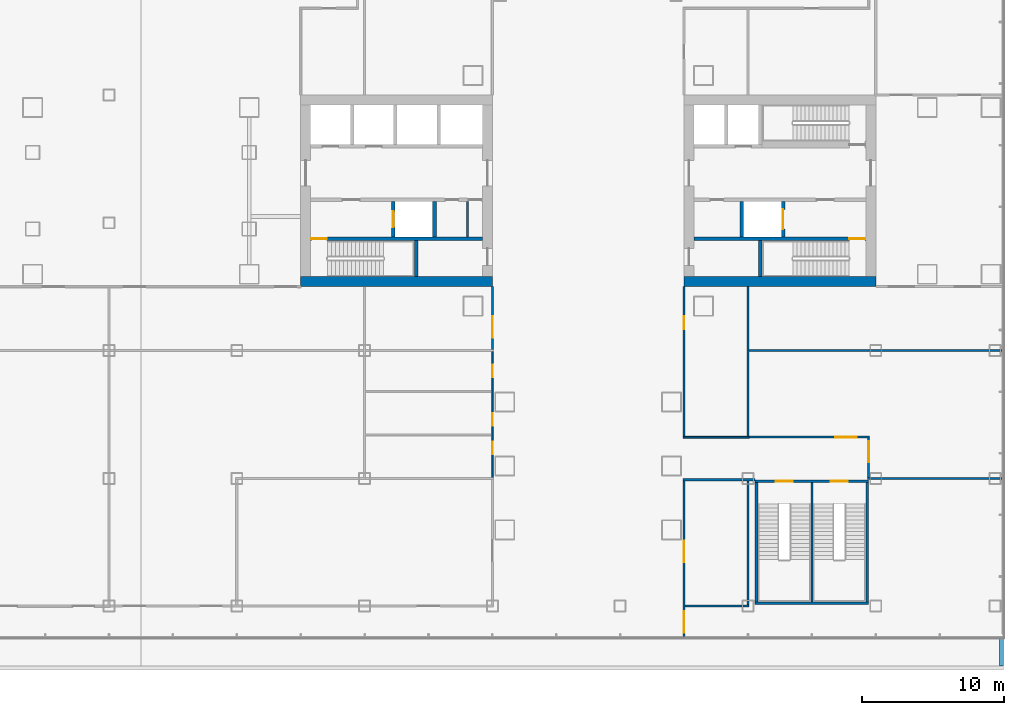
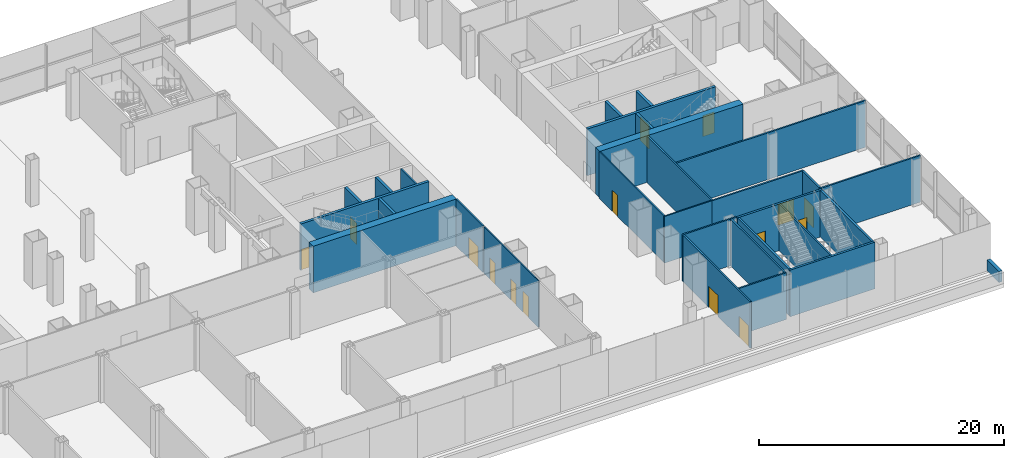
# One storey, part 21 of 30: 30 walls, 15 doors, 15 openings.
"""IFC4 building model written with IfcOpenShell, lengths in metres."""

from ifc_helpers import new_model, si_unit, direction, frame, frame_2d, origin, place, context, subcontext, project, spatial, rectangle, extrude, material, layer, layer_set, type_object, element, fill, save


model = new_model("IFC4")

# Units and contexts
model_context = context("Model", 3, precision=1e-05, world=origin(), true_north=direction((0.0, 1.0)))
body_context = subcontext(model_context, "Body", "Model", "MODEL_VIEW")
ifc_project = project(units=[si_unit("LENGTHUNIT", "METRE"), si_unit("AREAUNIT", "SQUARE_METRE"), si_unit("VOLUMEUNIT", "CUBIC_METRE"), si_unit("PLANEANGLEUNIT", "RADIAN"), si_unit("MASSUNIT", "GRAM", prefix="KILO")], contexts=[model_context])

# Site, building, storey
site_placement = place(None, origin())
site = spatial("IfcSite", under=ifc_project, at=site_placement, CompositionType="ELEMENT")
building_placement = place(site_placement, origin())
building = spatial("IfcBuilding", under=site, at=building_placement, Name="Shamsa Quay Exchange Towers", CompositionType="ELEMENT")
storey_placement = place(building_placement, frame((0.0, 0.0, 23.5)))
storey = spatial("IfcBuildingStorey", under=building, at=storey_placement, Name="L04", CompositionType="ELEMENT", Elevation=23.5)

# Walls
ifc_material_1 = material(Name="Concrete C80/95", Category="concrete")
ifc_layer_1 = layer(ifc_material_1, 0.699951171875)
ifc_layer_set_1 = layer_set([ifc_layer_1], Name="CORE WALL 700 C80/95")
wall_type_1 = type_object("IfcWallType", Name="CORE WALL 700 C80/95", PredefinedType="SHEAR", material=ifc_layer_set_1)
wall_1_placement = place(storey_placement, frame((13.5, -6.39990234375, 0.0)))
element("IfcWall", 1, at=wall_1_placement, inside=storey, type_object=wall_type_1, Name="Core wall T2A-L04-PS", PredefinedType="SHEAR", context=body_context, shape_type="SweptSolid", body=[
    extrude(rectangle(XDim=13.5, YDim=0.699951171875, at=frame_2d((6.75, 0.0))), origin(), (0.0, 0.0, 1.0), 4.64990234375),
])
wall_2_placement = place(storey_placement, frame((54.0, -6.39990234375, 0.0), z_axis=(0.0, 0.0, 1.0), x_axis=(-1.0, 0.0, 0.0)))
element("IfcWall", 2, at=wall_2_placement, inside=storey, type_object=wall_type_1, Name="Core wall T2B-L04-PS", PredefinedType="SHEAR", context=body_context, shape_type="SweptSolid", body=[
    extrude(rectangle(XDim=13.5, YDim=0.699951171875, at=frame_2d((6.75, 0.0))), origin(), (0.0, 0.0, 1.0), 4.64990234375),
])
ifc_material_2 = material(Name="Gypsum board on steel studs, EI 60", Category="steel")
ifc_layer_2 = layer(ifc_material_2, 0.14990234375)
ifc_layer_set_2 = layer_set([ifc_layer_2], Name="FIRE PARTITION 150")
wall_type_2 = type_object("IfcWallType", Name="FIRE PARTITION 150", PredefinedType="PARTITIONING", material=ifc_layer_set_2)
wall_3_placement = place(storey_placement, frame((25.25, -3.25, 0.0), z_axis=(0.0, 0.0, 1.0), x_axis=(0.0, 1.0, 0.0)))
element("IfcWall", 3, at=wall_3_placement, inside=storey, type_object=wall_type_2, Name="Partition T2A-L04-EC0", PredefinedType="PARTITIONING", context=body_context, shape_type="SweptSolid", body=[
    extrude(rectangle(XDim=2.5, YDim=0.14990234375, at=frame_2d((1.25, 0.0))), origin(), (0.0, 0.0, 1.0), 4.64990234375),
])

# Wall, opening, door
ifc_material_3 = material(Name="Laminated fire-resisting glass in a metal frame", Category="glass")
ifc_layer_3 = layer(ifc_material_3, 0.125)
ifc_layer_set_3 = layer_set([ifc_layer_3], Name="Glazed partition 125 mm EI 60")
wall_type_3 = type_object("IfcWallType", Name="Glazed partition 125 mm EI 60", PredefinedType="PARTITIONING", material=ifc_layer_set_3)
wall_4_placement = place(storey_placement, frame((40.5, -6.75, 0.0), z_axis=(0.0, 0.0, 1.0), x_axis=(0.0, -1.0, 0.0)))
wall_4 = element("IfcWall", 4, at=wall_4_placement, inside=storey, type_object=wall_type_3, Name="Partition PD-L04-W14", PredefinedType="PARTITIONING", context=body_context, shape_type="SweptSolid", body=[
    extrude(rectangle(XDim=10.537109375, YDim=0.125, at=frame_2d((5.2685546875, 0.0))), origin(), (0.0, 0.0, 1.0), 4.64990234375),
])
opening_1_placement = place(wall_4_placement, frame((2.10009765625, 0.0, 0.0)))
opening_1 = element("IfcOpeningElement", 5, at=opening_1_placement, cuts=wall_4, Name="Opening PD-L04-D41", PredefinedType="OPENING", context=body_context, shape_type="SweptSolid", body=[
    extrude(rectangle(XDim=0.89990234375, YDim=2.10009765625, at=frame_2d((0.449951171875, 1.050048828125))), frame((0.0, 0.072509765625, 0.0), z_axis=(0.0, -1.0, 0.0), x_axis=(1.0, 0.0, 0.0)), (0.0, 0.0, 1.0), 0.14501953125),
])
ifc_material_4 = material(Name="Timber door leaf in a metal frame", Category="wood")
door_type_1 = type_object("IfcDoorType", Name="Door 900x2100 FD30S", OperationType="NOTDEFINED", PredefinedType="DOOR", material=ifc_material_4)
door_1_placement = place(opening_1_placement, origin())
door_1 = element("IfcDoor", 6, at=door_1_placement, inside=storey, type_object=door_type_1, Name="Door PD-L04-D41", OperationType="SINGLE_SWING_RIGHT", OverallHeight=2.10009765625, OverallWidth=0.89990234375, PredefinedType="DOOR", context=body_context, shape_type="SweptSolid", body=[
    extrude(rectangle(XDim=0.89990234375, YDim=2.10009765625, at=frame_2d((0.449951171875, 1.050048828125))), frame((0.0, 0.02490234375, 0.0), z_axis=(0.0, -1.0, 0.0), x_axis=(1.0, 0.0, 0.0)), (0.0, 0.0, 1.0), 0.050048828125),
])
fill(opening_1, door_1)

# Wall
wall_5_placement = place(storey_placement, frame((40.4375, -17.349609375, 0.0)))
element("IfcWall", 7, at=wall_5_placement, inside=storey, type_object=wall_type_3, Name="Partition PD-L04-W49", PredefinedType="PARTITIONING", context=body_context, shape_type="SweptSolid", body=[
    extrude(rectangle(XDim=4.637451171875, YDim=0.125, at=frame_2d((2.31884765625, 0.0))), origin(), (0.0, 0.0, 1.0), 4.64990234375),
])

# Wall, openings, doors
ifc_material_5 = material(Name="Gypsum board partition on metal studs")
ifc_layer_4 = layer(ifc_material_5, 0.10009765625)
ifc_layer_set_4 = layer_set([ifc_layer_4], Name="Partition 100 mm NOT RATED")
wall_type_4 = type_object("IfcWallType", Name="Partition 100 mm NOT RATED", PredefinedType="PARTITIONING", material=ifc_layer_set_4)
wall_6_placement = place(storey_placement, frame((27.0, -20.175048828125, 0.0), z_axis=(0.0, 0.0, 1.0), x_axis=(0.0, 1.0, 0.0)))
wall_6 = element("IfcWall", 8, at=wall_6_placement, inside=storey, type_object=wall_type_4, Name="Partition PD-L04-W12", PredefinedType="PARTITIONING", context=body_context, shape_type="SweptSolid", body=[
    extrude(rectangle(XDim=8.85009765625, YDim=0.10009765625, at=frame_2d((4.425048828125, 0.0))), origin(), (0.0, 0.0, 1.0), 4.64990234375),
])
opening_2_placement = place(wall_6_placement, frame((1.606201171875, 0.0, 0.0)))
opening_2 = element("IfcOpeningElement", 9, at=opening_2_placement, cuts=wall_6, Name="Opening PD-L04-D32", PredefinedType="OPENING", context=body_context, shape_type="SweptSolid", body=[
    extrude(rectangle(XDim=0.89990234375, YDim=2.10009765625, at=frame_2d((0.449951171875, 1.050048828125))), frame((0.0, 0.06005859375, 0.0), z_axis=(0.0, -1.0, 0.0), x_axis=(1.0, 0.0, 0.0)), (0.0, 0.0, 1.0), 0.1201171875),
])
opening_3_placement = place(wall_6_placement, frame((3.61865234375, 0.0, 0.0)))
opening_3 = element("IfcOpeningElement", 10, at=opening_3_placement, cuts=wall_6, Name="Opening PD-L04-D33", PredefinedType="OPENING", context=body_context, shape_type="SweptSolid", body=[
    extrude(rectangle(XDim=0.89990234375, YDim=2.10009765625, at=frame_2d((0.449951171875, 1.050048828125))), frame((0.0, 0.06005859375, 0.0), z_axis=(0.0, -1.0, 0.0), x_axis=(1.0, 0.0, 0.0)), (0.0, 0.0, 1.0), 0.1201171875),
])
opening_4_placement = place(wall_6_placement, frame((7.03759765625, 0.0, 0.0)))
opening_4 = element("IfcOpeningElement", 11, at=opening_4_placement, cuts=wall_6, Name="Opening PD-L04-D35", PredefinedType="OPENING", context=body_context, shape_type="SweptSolid", body=[
    extrude(rectangle(XDim=0.89990234375, YDim=2.10009765625, at=frame_2d((0.449951171875, 1.050048828125))), frame((0.0, 0.06005859375, 0.0), z_axis=(0.0, -1.0, 0.0), x_axis=(1.0, 0.0, 0.0)), (0.0, 0.0, 1.0), 0.1201171875),
])
door_type_2 = type_object("IfcDoorType", Name="Door 900x2100 NOT RATED", OperationType="NOTDEFINED", PredefinedType="DOOR", material=ifc_material_4)
door_2_placement = place(opening_2_placement, origin())
door_2 = element("IfcDoor", 12, at=door_2_placement, inside=storey, type_object=door_type_2, Name="Door PD-L04-D32", OperationType="SINGLE_SWING_RIGHT", OverallHeight=2.10009765625, OverallWidth=0.89990234375, PredefinedType="DOOR", context=body_context, shape_type="SweptSolid", body=[
    extrude(rectangle(XDim=0.89990234375, YDim=2.10009765625, at=frame_2d((0.449951171875, 1.050048828125))), frame((0.0, 0.02490234375, 0.0), z_axis=(0.0, -1.0, 0.0), x_axis=(1.0, 0.0, 0.0)), (0.0, 0.0, 1.0), 0.050048828125),
])
fill(opening_2, door_2)
door_3_placement = place(opening_3_placement, origin())
door_3 = element("IfcDoor", 13, at=door_3_placement, inside=storey, type_object=door_type_2, Name="Door PD-L04-D33", OperationType="SINGLE_SWING_LEFT", OverallHeight=2.10009765625, OverallWidth=0.89990234375, PredefinedType="DOOR", context=body_context, shape_type="SweptSolid", body=[
    extrude(rectangle(XDim=0.89990234375, YDim=2.10009765625, at=frame_2d((0.449951171875, 1.050048828125))), frame((0.0, 0.02490234375, 0.0), z_axis=(0.0, -1.0, 0.0), x_axis=(1.0, 0.0, 0.0)), (0.0, 0.0, 1.0), 0.050048828125),
])
fill(opening_3, door_3)
door_4_placement = place(opening_4_placement, origin())
door_4 = element("IfcDoor", 14, at=door_4_placement, inside=storey, type_object=door_type_2, Name="Door PD-L04-D35", OperationType="SINGLE_SWING_LEFT", OverallHeight=2.10009765625, OverallWidth=0.89990234375, PredefinedType="DOOR", context=body_context, shape_type="SweptSolid", body=[
    extrude(rectangle(XDim=0.89990234375, YDim=2.10009765625, at=frame_2d((0.449951171875, 1.050048828125))), frame((0.0, 0.02490234375, 0.0), z_axis=(0.0, -1.0, 0.0), x_axis=(1.0, 0.0, 0.0)), (0.0, 0.0, 1.0), 0.050048828125),
])
fill(opening_4, door_4)

ifc_layer_5 = layer(ifc_material_5, 0.14990234375)
ifc_layer_set_5 = layer_set([ifc_layer_5], Name="Partition 150 mm EI 60")
wall_type_5 = type_object("IfcWallType", Name="Partition 150 mm EI 60", PredefinedType="PARTITIONING", material=ifc_layer_set_5)
wall_7_placement = place(storey_placement, frame((40.5, -20.424560546875, 0.0), z_axis=(0.0, 0.0, 1.0), x_axis=(0.0, -1.0, 0.0)))
wall_7 = element("IfcWall", 15, at=wall_7_placement, inside=storey, type_object=wall_type_5, Name="Partition PD-L04-W11", PredefinedType="PARTITIONING", context=body_context, shape_type="SweptSolid", body=[
    extrude(rectangle(XDim=10.98046875, YDim=0.14990234375, at=frame_2d((5.490234375, 0.0))), origin(), (0.0, 0.0, 1.0), 4.64990234375),
])
opening_5_placement = place(wall_7_placement, frame((4.22509765625, 0.0, 0.0)))
opening_5 = element("IfcOpeningElement", 16, at=opening_5_placement, cuts=wall_7, Name="Opening PD-L04-D39", PredefinedType="OPENING", context=body_context, shape_type="SweptSolid", body=[
    extrude(rectangle(XDim=1.5, YDim=2.10009765625, at=frame_2d((0.75, 1.050048828125))), frame((0.0, 0.0849609375, 0.0), z_axis=(0.0, -1.0, 0.0), x_axis=(1.0, 0.0, 0.0)), (0.0, 0.0, 1.0), 0.169921875),
])
opening_6_placement = place(wall_7_placement, frame((9.200439453125, 0.0, 0.0)))
opening_6 = element("IfcOpeningElement", 17, at=opening_6_placement, cuts=wall_7, Name="Opening PD-L04-D40", PredefinedType="OPENING", context=body_context, shape_type="SweptSolid", body=[
    extrude(rectangle(XDim=1.5, YDim=2.10009765625, at=frame_2d((0.75, 1.050048828125))), frame((0.0, 0.0849609375, 0.0), z_axis=(0.0, -1.0, 0.0), x_axis=(1.0, 0.0, 0.0)), (0.0, 0.0, 1.0), 0.169921875),
])
door_type_3 = type_object("IfcDoorType", Name="Door 1500x2100 FD30S pair", OperationType="NOTDEFINED", PredefinedType="DOOR", material=ifc_material_4)
door_5_placement = place(opening_5_placement, origin())
door_5 = element("IfcDoor", 18, at=door_5_placement, inside=storey, type_object=door_type_3, Name="Door PD-L04-D39", OperationType="DOUBLE_DOOR_SINGLE_SWING", OverallHeight=2.10009765625, OverallWidth=1.5, PredefinedType="DOOR", context=body_context, shape_type="SweptSolid", body=[
    extrude(rectangle(XDim=1.5, YDim=2.10009765625, at=frame_2d((0.75, 1.050048828125))), frame((0.0, 0.02490234375, 0.0), z_axis=(0.0, -1.0, 0.0), x_axis=(1.0, 0.0, 0.0)), (0.0, 0.0, 1.0), 0.050048828125),
])
fill(opening_5, door_5)
door_6_placement = place(opening_6_placement, origin())
door_6 = element("IfcDoor", 19, at=door_6_placement, inside=storey, type_object=door_type_3, Name="Door PD-L04-D40", OperationType="DOUBLE_DOOR_SINGLE_SWING", OverallHeight=2.10009765625, OverallWidth=1.5, PredefinedType="DOOR", context=body_context, shape_type="SweptSolid", body=[
    extrude(rectangle(XDim=1.5, YDim=2.10009765625, at=frame_2d((0.75, 1.050048828125))), frame((0.0, 0.02490234375, 0.0), z_axis=(0.0, -1.0, 0.0), x_axis=(1.0, 0.0, 0.0)), (0.0, 0.0, 1.0), 0.050048828125),
])
fill(opening_6, door_6)

# Wall, opening, door
wall_8_placement = place(storey_placement, frame((27.0, -11.175048828125, 0.0), z_axis=(0.0, 0.0, 1.0), x_axis=(0.0, 1.0, 0.0)))
wall_8 = element("IfcWall", 20, at=wall_8_placement, inside=storey, type_object=wall_type_5, Name="Partition PD-L04-W15", PredefinedType="PARTITIONING", context=body_context, shape_type="SweptSolid", body=[
    extrude(rectangle(XDim=4.425048828125, YDim=0.14990234375, at=frame_2d((2.21240234375, 0.0))), origin(), (0.0, 0.0, 1.0), 4.64990234375),
])
opening_7_placement = place(wall_8_placement, frame((0.824951171875, 0.0, 0.0)))
opening_7 = element("IfcOpeningElement", 21, at=opening_7_placement, cuts=wall_8, Name="Opening PD-L04-D36", PredefinedType="OPENING", context=body_context, shape_type="SweptSolid", body=[
    extrude(rectangle(XDim=1.5, YDim=2.10009765625, at=frame_2d((0.75, 1.050048828125))), frame((0.0, 0.0849609375, 0.0), z_axis=(0.0, -1.0, 0.0), x_axis=(1.0, 0.0, 0.0)), (0.0, 0.0, 1.0), 0.169921875),
])
door_7_placement = place(opening_7_placement, origin())
door_7 = element("IfcDoor", 22, at=door_7_placement, inside=storey, type_object=door_type_3, Name="Door PD-L04-D36", OperationType="DOUBLE_DOOR_SINGLE_SWING", OverallHeight=2.10009765625, OverallWidth=1.5, PredefinedType="DOOR", context=body_context, shape_type="SweptSolid", body=[
    extrude(rectangle(XDim=1.5, YDim=2.10009765625, at=frame_2d((0.75, 1.050048828125))), frame((0.0, 0.02490234375, 0.0), z_axis=(0.0, -1.0, 0.0), x_axis=(1.0, 0.0, 0.0)), (0.0, 0.0, 1.0), 0.050048828125),
])
fill(opening_7, door_7)

# Wall
wall_9_placement = place(storey_placement, frame((45.074951171875, -29.25, 0.0), z_axis=(0.0, 0.0, 1.0), x_axis=(-1.0, 0.0, 0.0)))
element("IfcWall", 23, at=wall_9_placement, inside=storey, type_object=wall_type_5, Name="Partition PD-L04-W21", PredefinedType="PARTITIONING", context=body_context, shape_type="SweptSolid", body=[
    extrude(rectangle(XDim=4.5, YDim=0.14990234375, at=frame_2d((2.25, 0.0))), origin(), (0.0, 0.0, 1.0), 4.64990234375),
])

# Wall, opening, door
wall_10_placement = place(storey_placement, frame((53.574951171875, -17.349609375, 0.0), z_axis=(0.0, 0.0, 1.0), x_axis=(-1.0, 0.0, 0.0)))
wall_10 = element("IfcWall", 24, at=wall_10_placement, inside=storey, type_object=wall_type_5, Name="Partition PD-L04-W43", PredefinedType="PARTITIONING", context=body_context, shape_type="SweptSolid", body=[
    extrude(rectangle(XDim=8.64990234375, YDim=0.14990234375, at=frame_2d((4.324951171875, 0.0))), origin(), (0.0, 0.0, 1.0), 4.64990234375),
])
opening_8_placement = place(wall_10_placement, frame((0.925048828125, 0.0, 0.0)))
opening_8 = element("IfcOpeningElement", 25, at=opening_8_placement, cuts=wall_10, Name="Opening PD-L04-D46", PredefinedType="OPENING", context=body_context, shape_type="SweptSolid", body=[
    extrude(rectangle(XDim=1.5, YDim=2.10009765625, at=frame_2d((0.75, 1.050048828125))), frame((0.0, 0.0849609375, 0.0), z_axis=(0.0, -1.0, 0.0), x_axis=(1.0, 0.0, 0.0)), (0.0, 0.0, 1.0), 0.169921875),
])
door_8_placement = place(opening_8_placement, origin())
door_8 = element("IfcDoor", 26, at=door_8_placement, inside=storey, type_object=door_type_3, Name="Door PD-L04-D46", OperationType="DOUBLE_DOOR_SINGLE_SWING", OverallHeight=2.10009765625, OverallWidth=1.5, PredefinedType="DOOR", context=body_context, shape_type="SweptSolid", body=[
    extrude(rectangle(XDim=1.5, YDim=2.10009765625, at=frame_2d((0.75, 1.050048828125))), frame((0.0, 0.02490234375, 0.0), z_axis=(0.0, -1.0, 0.0), x_axis=(1.0, 0.0, 0.0)), (0.0, 0.0, 1.0), 0.050048828125),
])
fill(opening_8, door_8)

# Wall
wall_11_placement = place(storey_placement, frame((45.5, -20.349609375, 0.0), z_axis=(0.0, 0.0, 1.0), x_axis=(-1.0, 0.0, 0.0)))
element("IfcWall", 27, at=wall_11_placement, inside=storey, type_object=wall_type_5, Name="Partition PD-L04-W47", PredefinedType="PARTITIONING", context=body_context, shape_type="SweptSolid", body=[
    extrude(rectangle(XDim=5.074951171875, YDim=0.14990234375, at=frame_2d((2.53759765625, 0.0))), origin(), (0.0, 0.0, 1.0), 4.64990234375),
])

# Wall, opening, door
wall_12_placement = place(storey_placement, frame((53.5, -20.175048828125, 0.0), z_axis=(0.0, 0.0, 1.0), x_axis=(0.0, 1.0, 0.0)))
wall_12 = element("IfcWall", 28, at=wall_12_placement, inside=storey, type_object=wall_type_5, Name="Partition PD-L04-W48", PredefinedType="PARTITIONING", context=body_context, shape_type="SweptSolid", body=[
    extrude(rectangle(XDim=2.75048828125, YDim=0.14990234375, at=frame_2d((1.375244140625, 0.0))), origin(), (0.0, 0.0, 1.0), 4.64990234375),
])
opening_9_placement = place(wall_12_placement, frame((1.04541015625, 0.0, 0.0)))
opening_9 = element("IfcOpeningElement", 29, at=opening_9_placement, cuts=wall_12, Name="Opening PD-L04-D45", PredefinedType="OPENING", context=body_context, shape_type="SweptSolid", body=[
    extrude(rectangle(XDim=1.5, YDim=2.10009765625, at=frame_2d((0.75, 1.050048828125))), frame((0.0, 0.0849609375, 0.0), z_axis=(0.0, -1.0, 0.0), x_axis=(1.0, 0.0, 0.0)), (0.0, 0.0, 1.0), 0.169921875),
])
door_9_placement = place(opening_9_placement, origin())
door_9 = element("IfcDoor", 30, at=door_9_placement, inside=storey, type_object=door_type_3, Name="Door PD-L04-D45", OperationType="DOUBLE_DOOR_SINGLE_SWING", OverallHeight=2.10009765625, OverallWidth=1.5, PredefinedType="DOOR", context=body_context, shape_type="SweptSolid", body=[
    extrude(rectangle(XDim=1.5, YDim=2.10009765625, at=frame_2d((0.75, 1.050048828125))), frame((0.0, 0.02490234375, 0.0), z_axis=(0.0, -1.0, 0.0), x_axis=(1.0, 0.0, 0.0)), (0.0, 0.0, 1.0), 0.050048828125),
])
fill(opening_9, door_9)

# Walls
wall_13_placement = place(storey_placement, frame((62.905029296875, -11.25, 0.0), z_axis=(0.0, 0.0, 1.0), x_axis=(-1.0, 0.0, 0.0)))
element("IfcWall", 31, at=wall_13_placement, inside=storey, type_object=wall_type_5, Name="Partition PD-L04-W61", PredefinedType="PARTITIONING", context=body_context, shape_type="SweptSolid", body=[
    extrude(rectangle(XDim=17.830078125, YDim=0.14990234375, at=frame_2d((8.9150390625, 0.0))), origin(), (0.0, 0.0, 1.0), 4.64990234375),
])
wall_14_placement = place(storey_placement, frame((62.905029296875, -20.25, 0.0), z_axis=(0.0, 0.0, 1.0), x_axis=(-1.0, 0.0, 0.0)))
element("IfcWall", 32, at=wall_14_placement, inside=storey, type_object=wall_type_5, Name="Partition PD-L04-W65", PredefinedType="PARTITIONING", context=body_context, shape_type="SweptSolid", body=[
    extrude(rectangle(XDim=9.47998046875, YDim=0.14990234375, at=frame_2d((4.739990234375, 0.0))), origin(), (0.0, 0.0, 1.0), 4.64990234375),
])
wall_15_placement = place(storey_placement, frame((45.0, -6.75, 0.0), z_axis=(0.0, 0.0, 1.0), x_axis=(0.0, -1.0, 0.0)))
element("IfcWall", 33, at=wall_15_placement, inside=storey, type_object=wall_type_5, Name="Partition PD-L04-W81", PredefinedType="PARTITIONING", context=body_context, shape_type="SweptSolid", body=[
    extrude(rectangle(XDim=10.524658203125, YDim=0.14990234375, at=frame_2d((5.26220703125, 0.0))), origin(), (0.0, 0.0, 1.0), 4.64990234375),
])
wall_16_placement = place(storey_placement, frame((45.0, -20.424560546875, 0.0), z_axis=(0.0, 0.0, 1.0), x_axis=(0.0, -1.0, 0.0)))
element("IfcWall", 34, at=wall_16_placement, inside=storey, type_object=wall_type_5, Name="Partition PD-L04-W82", PredefinedType="PARTITIONING", context=body_context, shape_type="SweptSolid", body=[
    extrude(rectangle(XDim=8.75048828125, YDim=0.14990234375, at=frame_2d((4.375244140625, 0.0))), origin(), (0.0, 0.0, 1.0), 4.64990234375),
])
ifc_material_6 = material(Name="Reinforced concrete C30/37", Category="concrete")
ifc_layer_6 = layer(ifc_material_6, 0.300048828125)
ifc_layer_set_6 = layer_set([ifc_layer_6], Name="ROOF PARAPET 300 C30/37")
wall_type_6 = type_object("IfcWallType", Name="ROOF PARAPET 300 C30/37", PredefinedType="PARAPET", material=ifc_layer_set_6)
wall_17_placement = place(storey_placement, frame((62.85009765625, -33.449951171875, 0.0), z_axis=(0.0, 0.0, 1.0), x_axis=(0.0, 1.0, 0.0)))
element("IfcWall", 35, at=wall_17_placement, inside=storey, type_object=wall_type_6, Name="Parapet L03 4", PredefinedType="PARAPET", context=body_context, shape_type="SweptSolid", body=[
    extrude(rectangle(XDim=1.949951171875, YDim=0.300048828125, at=frame_2d((0.97509765625, 0.0))), origin(), (0.0, 0.0, 1.0), 1.10009765625),
])

# Wall, opening, door
ifc_material_7 = material(Name="Concrete C50/60", Category="concrete")
ifc_layer_7 = layer(ifc_material_7, 0.25)
ifc_layer_set_7 = layer_set([ifc_layer_7], Name="SHAFT WALL 250 C50/60")
wall_type_7 = type_object("IfcWallType", Name="SHAFT WALL 250 C50/60", PredefinedType="SHEAR", material=ifc_layer_set_7)
wall_18_placement = place(storey_placement, frame((26.300048828125, -3.375, 0.0), z_axis=(0.0, 0.0, 1.0), x_axis=(-1.0, 0.0, 0.0)))
wall_18 = element("IfcWall", 36, at=wall_18_placement, inside=storey, type_object=wall_type_7, Name="Shaft wall T2A-L04-STL", PredefinedType="SHEAR", context=body_context, shape_type="SweptSolid", body=[
    extrude(rectangle(XDim=12.10009765625, YDim=0.25, at=frame_2d((6.050048828125, 0.0))), origin(), (0.0, 0.0, 1.0), 4.64990234375),
])
opening_10_placement = place(wall_18_placement, frame((10.949951171875, 0.0, 0.0)))
opening_10 = element("IfcOpeningElement", 37, at=opening_10_placement, cuts=wall_18, Name="Opening T2A-L04-SD04", PredefinedType="OPENING", context=body_context, shape_type="SweptSolid", body=[
    extrude(rectangle(XDim=1.10009765625, YDim=2.10009765625, at=frame_2d((0.550048828125, 1.050048828125))), frame((0.0, 0.135009765625, 0.0), z_axis=(0.0, -1.0, 0.0), x_axis=(1.0, 0.0, 0.0)), (0.0, 0.0, 1.0), 0.27001953125),
])
ifc_material_8 = material(Name="Steel, fire rated", Category="steel")
door_type_4 = type_object("IfcDoorType", Name="STAIR DOOR 1100", OperationType="SINGLE_SWING_LEFT", PredefinedType="DOOR", material=ifc_material_8)
door_10_placement = place(opening_10_placement, origin())
door_10 = element("IfcDoor", 38, at=door_10_placement, inside=storey, type_object=door_type_4, Name="T2A-L04-SD04", OperationType="SINGLE_SWING_RIGHT", OverallHeight=2.10009765625, OverallWidth=1.10009765625, PredefinedType="DOOR", context=body_context, shape_type="SweptSolid", body=[
    extrude(rectangle(XDim=1.10009765625, YDim=2.10009765625, at=frame_2d((0.550048828125, 1.050048828125))), frame((0.0, 0.02490234375, 0.0), z_axis=(0.0, -1.0, 0.0), x_axis=(1.0, 0.0, 0.0)), (0.0, 0.0, 1.0), 0.050048828125),
])
fill(opening_10, door_10)

# Wall
wall_19_placement = place(storey_placement, frame((21.625, -6.050048828125, 0.0), z_axis=(0.0, 0.0, 1.0), x_axis=(0.0, 1.0, 0.0)))
element("IfcWall", 39, at=wall_19_placement, inside=storey, type_object=wall_type_7, Name="Shaft wall T2A-L04-STF", PredefinedType="SHEAR", context=body_context, shape_type="SweptSolid", body=[
    extrude(rectangle(XDim=2.550048828125, YDim=0.25, at=frame_2d((1.27490234375, 0.0))), origin(), (0.0, 0.0, 1.0), 4.64990234375),
])

# Wall, opening, door
wall_20_placement = place(storey_placement, frame((20.02490234375, -3.25, 0.0), z_axis=(0.0, 0.0, 1.0), x_axis=(0.0, 1.0, 0.0)))
wall_20 = element("IfcWall", 40, at=wall_20_placement, inside=storey, type_object=wall_type_7, Name="Shaft wall T2A-L04-FFF", PredefinedType="SHEAR", context=body_context, shape_type="SweptSolid", body=[
    extrude(rectangle(XDim=2.5, YDim=0.25, at=frame_2d((1.25, 0.0))), origin(), (0.0, 0.0, 1.0), 4.64990234375),
])
opening_11_placement = place(wall_20_placement, frame((0.699951171875, 0.0, 0.0)))
opening_11 = element("IfcOpeningElement", 41, at=opening_11_placement, cuts=wall_20, Name="Opening T2A-L04-LDF08", PredefinedType="OPENING", context=body_context, shape_type="SweptSolid", body=[
    extrude(rectangle(XDim=1.10009765625, YDim=2.10009765625, at=frame_2d((0.550048828125, 1.050048828125))), frame((0.0, 0.135009765625, 0.0), z_axis=(0.0, -1.0, 0.0), x_axis=(1.0, 0.0, 0.0)), (0.0, 0.0, 1.0), 0.27001953125),
])
door_type_5 = type_object("IfcDoorType", Name="FIRE SERVICE LANDING DOOR 1100", OperationType="SLIDING_TO_LEFT", PredefinedType="DOOR", material=ifc_material_8)
door_11_placement = place(opening_11_placement, origin())
door_11 = element("IfcDoor", 42, at=door_11_placement, inside=storey, type_object=door_type_5, Name="T2A-L04-LDF08", OperationType="SLIDING_TO_LEFT", OverallHeight=2.10009765625, OverallWidth=1.10009765625, PredefinedType="DOOR", context=body_context, shape_type="SweptSolid", body=[
    extrude(rectangle(XDim=1.10009765625, YDim=2.10009765625, at=frame_2d((0.550048828125, 1.050048828125))), frame((0.0, 0.02490234375, 0.0), z_axis=(0.0, -1.0, 0.0), x_axis=(1.0, 0.0, 0.0)), (0.0, 0.0, 1.0), 0.050048828125),
])
fill(opening_11, door_11)

# Wall
wall_21_placement = place(storey_placement, frame((22.925048828125, -3.25, 0.0), z_axis=(0.0, 0.0, 1.0), x_axis=(0.0, 1.0, 0.0)))
element("IfcWall", 43, at=wall_21_placement, inside=storey, type_object=wall_type_7, Name="Shaft wall T2A-L04-FFB", PredefinedType="SHEAR", context=body_context, shape_type="SweptSolid", body=[
    extrude(rectangle(XDim=2.5, YDim=0.25, at=frame_2d((1.25, 0.0))), origin(), (0.0, 0.0, 1.0), 4.64990234375),
])

# Wall, opening, door
wall_22_placement = place(storey_placement, frame((53.300048828125, -3.375, 0.0), z_axis=(0.0, 0.0, 1.0), x_axis=(-1.0, 0.0, 0.0)))
wall_22 = element("IfcWall", 44, at=wall_22_placement, inside=storey, type_object=wall_type_7, Name="Shaft wall T2B-L04-STL", PredefinedType="SHEAR", context=body_context, shape_type="SweptSolid", body=[
    extrude(rectangle(XDim=12.10009765625, YDim=0.25, at=frame_2d((6.050048828125, 0.0))), origin(), (0.0, 0.0, 1.0), 4.64990234375),
])
opening_12_placement = place(wall_22_placement, frame((0.050048828125, 0.0, 0.0)))
opening_12 = element("IfcOpeningElement", 45, at=opening_12_placement, cuts=wall_22, Name="Opening T2B-L04-SD04", PredefinedType="OPENING", context=body_context, shape_type="SweptSolid", body=[
    extrude(rectangle(XDim=1.10009765625, YDim=2.10009765625, at=frame_2d((0.550048828125, 1.050048828125))), frame((0.0, 0.135009765625, 0.0), z_axis=(0.0, -1.0, 0.0), x_axis=(1.0, 0.0, 0.0)), (0.0, 0.0, 1.0), 0.27001953125),
])
door_12_placement = place(opening_12_placement, origin())
door_12 = element("IfcDoor", 46, at=door_12_placement, inside=storey, type_object=door_type_4, Name="T2B-L04-SD04", OperationType="SINGLE_SWING_LEFT", OverallHeight=2.10009765625, OverallWidth=1.10009765625, PredefinedType="DOOR", context=body_context, shape_type="SweptSolid", body=[
    extrude(rectangle(XDim=1.10009765625, YDim=2.10009765625, at=frame_2d((0.550048828125, 1.050048828125))), frame((0.0, 0.02490234375, 0.0), z_axis=(0.0, -1.0, 0.0), x_axis=(1.0, 0.0, 0.0)), (0.0, 0.0, 1.0), 0.050048828125),
])
fill(opening_12, door_12)

# Wall
wall_23_placement = place(storey_placement, frame((45.875, -6.050048828125, 0.0), z_axis=(0.0, 0.0, 1.0), x_axis=(0.0, 1.0, 0.0)))
element("IfcWall", 47, at=wall_23_placement, inside=storey, type_object=wall_type_7, Name="Shaft wall T2B-L04-STF", PredefinedType="SHEAR", context=body_context, shape_type="SweptSolid", body=[
    extrude(rectangle(XDim=2.550048828125, YDim=0.25, at=frame_2d((1.27490234375, 0.0))), origin(), (0.0, 0.0, 1.0), 4.64990234375),
])

# Wall, opening, door
wall_24_placement = place(storey_placement, frame((47.47509765625, -3.25, 0.0), z_axis=(0.0, 0.0, 1.0), x_axis=(0.0, 1.0, 0.0)))
wall_24 = element("IfcWall", 48, at=wall_24_placement, inside=storey, type_object=wall_type_7, Name="Shaft wall T2B-L04-FFF", PredefinedType="SHEAR", context=body_context, shape_type="SweptSolid", body=[
    extrude(rectangle(XDim=2.5, YDim=0.25, at=frame_2d((1.25, 0.0))), origin(), (0.0, 0.0, 1.0), 4.64990234375),
])
opening_13_placement = place(wall_24_placement, frame((0.550048828125, 0.0, 0.0)))
opening_13 = element("IfcOpeningElement", 49, at=opening_13_placement, cuts=wall_24, Name="Opening T2B-L04-LDG07", PredefinedType="OPENING", context=body_context, shape_type="SweptSolid", body=[
    extrude(rectangle(XDim=1.39990234375, YDim=2.39990234375, at=frame_2d((0.699951171875, 1.199951171875))), frame((0.0, 0.135009765625, 0.0), z_axis=(0.0, -1.0, 0.0), x_axis=(1.0, 0.0, 0.0)), (0.0, 0.0, 1.0), 0.27001953125),
])
door_type_6 = type_object("IfcDoorType", Name="GOODS LIFT LANDING DOOR 1400", OperationType="SLIDING_TO_LEFT", PredefinedType="DOOR", material=ifc_material_8)
door_13_placement = place(opening_13_placement, origin())
door_13 = element("IfcDoor", 50, at=door_13_placement, inside=storey, type_object=door_type_6, Name="T2B-L04-LDG07", OperationType="SLIDING_TO_LEFT", OverallHeight=2.39990234375, OverallWidth=1.39990234375, PredefinedType="DOOR", context=body_context, shape_type="SweptSolid", body=[
    extrude(rectangle(XDim=1.39990234375, YDim=2.39990234375, at=frame_2d((0.699951171875, 1.199951171875))), frame((0.0, 0.02490234375, 0.0), z_axis=(0.0, -1.0, 0.0), x_axis=(1.0, 0.0, 0.0)), (0.0, 0.0, 1.0), 0.050048828125),
])
fill(opening_13, door_13)

# Wall
wall_25_placement = place(storey_placement, frame((44.574951171875, -3.25, 0.0), z_axis=(0.0, 0.0, 1.0), x_axis=(0.0, 1.0, 0.0)))
element("IfcWall", 51, at=wall_25_placement, inside=storey, type_object=wall_type_7, Name="Shaft wall T2B-L04-FFB", PredefinedType="SHEAR", context=body_context, shape_type="SweptSolid", body=[
    extrude(rectangle(XDim=2.5, YDim=0.25, at=frame_2d((1.25, 0.0))), origin(), (0.0, 0.0, 1.0), 4.64990234375),
])

# Wall, openings, doors
ifc_layer_8 = layer(ifc_material_7, 0.199951171875)
ifc_layer_set_8 = layer_set([ifc_layer_8], Name="STAIR ENCLOSURE WALL 200 C50/60")
wall_type_8 = type_object("IfcWallType", Name="STAIR ENCLOSURE WALL 200 C50/60", PredefinedType="SHEAR", material=ifc_layer_set_8)
wall_26_placement = place(storey_placement, frame((53.5, -20.449951171875, 0.0), z_axis=(0.0, 0.0, 1.0), x_axis=(-1.0, 0.0, 0.0)))
wall_26 = element("IfcWall", 52, at=wall_26_placement, inside=storey, type_object=wall_type_8, Name="Stair enclosure wall PS6 inward", PredefinedType="SHEAR", context=body_context, shape_type="SweptSolid", body=[
    extrude(rectangle(XDim=8.0, YDim=0.199951171875, at=frame_2d((4.0, 0.0))), origin(), (0.0, 0.0, 1.0), 4.64990234375),
])
opening_14_placement = place(wall_26_placement, frame((5.33740234375, 0.0, 0.0)))
opening_14 = element("IfcOpeningElement", 53, at=opening_14_placement, cuts=wall_26, Name="Opening PS6A-L04-SD01", PredefinedType="OPENING", context=body_context, shape_type="SweptSolid", body=[
    extrude(rectangle(XDim=1.199951171875, YDim=2.39990234375, at=frame_2d((0.60009765625, 1.199951171875))), frame((0.0, 0.10986328125, 0.0), z_axis=(0.0, -1.0, 0.0), x_axis=(1.0, 0.0, 0.0)), (0.0, 0.0, 1.0), 0.219970703125),
])
opening_15_placement = place(wall_26_placement, frame((1.46240234375, 0.0, 0.0)))
opening_15 = element("IfcOpeningElement", 54, at=opening_15_placement, cuts=wall_26, Name="Opening PS6B-L04-SD01", PredefinedType="OPENING", context=body_context, shape_type="SweptSolid", body=[
    extrude(rectangle(XDim=1.199951171875, YDim=2.39990234375, at=frame_2d((0.60009765625, 1.199951171875))), frame((0.0, 0.10986328125, 0.0), z_axis=(0.0, -1.0, 0.0), x_axis=(1.0, 0.0, 0.0)), (0.0, 0.0, 1.0), 0.219970703125),
])
door_type_7 = type_object("IfcDoorType", Name="PODIUM STAIR DOOR 1200", OperationType="SINGLE_SWING_LEFT", PredefinedType="DOOR", material=ifc_material_8)
door_14_placement = place(opening_14_placement, origin())
door_14 = element("IfcDoor", 55, at=door_14_placement, inside=storey, type_object=door_type_7, Name="PS6A-L04-SD01", OperationType="SINGLE_SWING_LEFT", OverallHeight=2.39990234375, OverallWidth=1.199951171875, PredefinedType="DOOR", context=body_context, shape_type="SweptSolid", body=[
    extrude(rectangle(XDim=1.199951171875, YDim=2.39990234375, at=frame_2d((0.60009765625, 1.199951171875))), frame((0.0, 0.02490234375, 0.0), z_axis=(0.0, -1.0, 0.0), x_axis=(1.0, 0.0, 0.0)), (0.0, 0.0, 1.0), 0.050048828125),
])
fill(opening_14, door_14)
door_15_placement = place(opening_15_placement, origin())
door_15 = element("IfcDoor", 56, at=door_15_placement, inside=storey, type_object=door_type_7, Name="PS6B-L04-SD01", OperationType="SINGLE_SWING_RIGHT", OverallHeight=2.39990234375, OverallWidth=1.199951171875, PredefinedType="DOOR", context=body_context, shape_type="SweptSolid", body=[
    extrude(rectangle(XDim=1.199951171875, YDim=2.39990234375, at=frame_2d((0.60009765625, 1.199951171875))), frame((0.0, 0.02490234375, 0.0), z_axis=(0.0, -1.0, 0.0), x_axis=(1.0, 0.0, 0.0)), (0.0, 0.0, 1.0), 0.050048828125),
])
fill(opening_15, door_15)

# Walls
wall_27_placement = place(storey_placement, frame((45.5, -29.050048828125, 0.0)))
element("IfcWall", 57, at=wall_27_placement, inside=storey, type_object=wall_type_8, Name="Stair enclosure wall PS6 outward", PredefinedType="SHEAR", context=body_context, shape_type="SweptSolid", body=[
    extrude(rectangle(XDim=8.0, YDim=0.199951171875, at=frame_2d((4.0, 0.0))), origin(), (0.0, 0.0, 1.0), 4.64990234375),
])
for number, where, z_axis, x_axis, name in (
    (58, (45.60009765625, -28.949951171875, 0.0), (0.0, 0.0, 1.0), (0.0, 1.0, 0.0), "Stair enclosure wall PS6 west"),
    (59, (53.39990234375, -28.949951171875, 0.0), (0.0, 0.0, 1.0), (0.0, 1.0, 0.0), "Stair enclosure wall PS6 east"),
):
    element("IfcWall", number, at=place(storey_placement, frame(where, z_axis=z_axis, x_axis=x_axis)), inside=storey, type_object=wall_type_8, Name=name, PredefinedType="SHEAR", context=body_context, shape_type="SweptSolid", body=[
        extrude(rectangle(XDim=8.39990234375, YDim=0.199951171875, at=frame_2d((4.199951171875, 0.0))), origin(), (0.0, 0.0, 1.0), 4.64990234375),
    ])
ifc_layer_9 = layer(ifc_material_7, 0.14990234375)
ifc_layer_set_9 = layer_set([ifc_layer_9], Name="STAIR PARTITION WALL 150 C50/60")
wall_type_9 = type_object("IfcWallType", Name="STAIR PARTITION WALL 150 C50/60", PredefinedType="SHEAR", material=ifc_layer_set_9)
wall_28_placement = place(storey_placement, frame((49.5, -28.949951171875, 0.0), z_axis=(0.0, 0.0, 1.0), x_axis=(0.0, 1.0, 0.0)))
element("IfcWall", 60, at=wall_28_placement, inside=storey, type_object=wall_type_9, Name="Stair enclosure wall PS6 between the stairs", PredefinedType="SHEAR", context=body_context, shape_type="SweptSolid", body=[
    extrude(rectangle(XDim=8.39990234375, YDim=0.14990234375, at=frame_2d((4.199951171875, 0.0))), origin(), (0.0, 0.0, 1.0), 4.64990234375),
])

save(model, "model.ifc")
